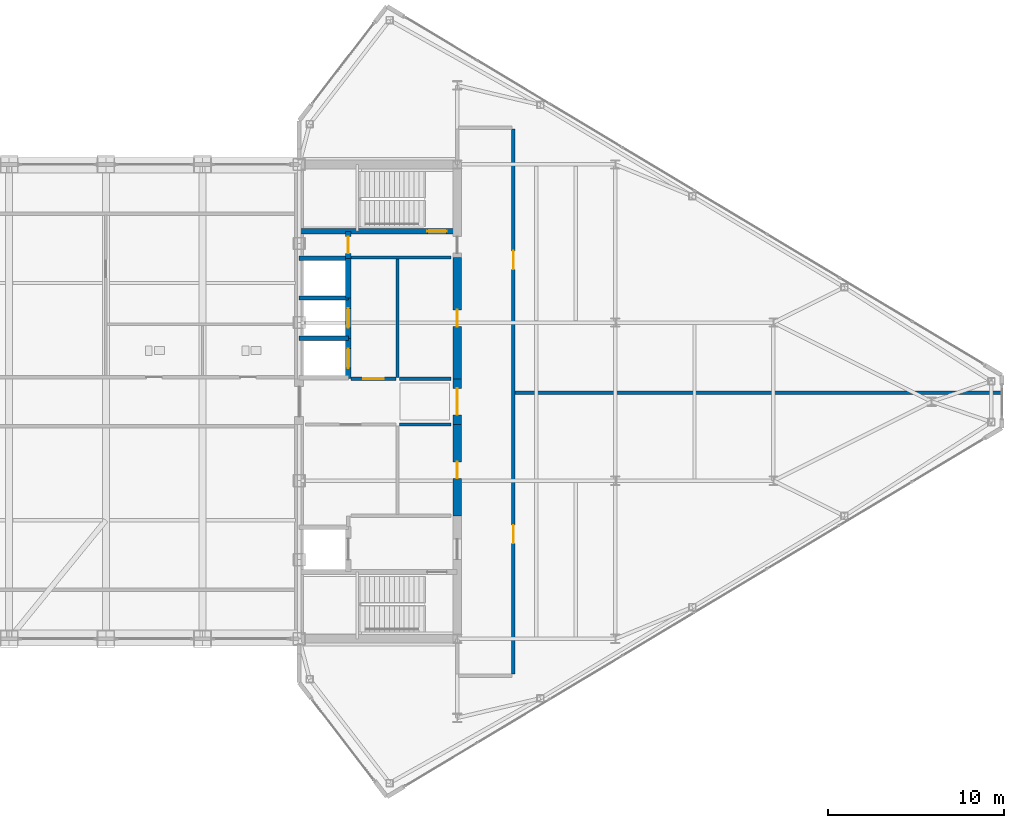
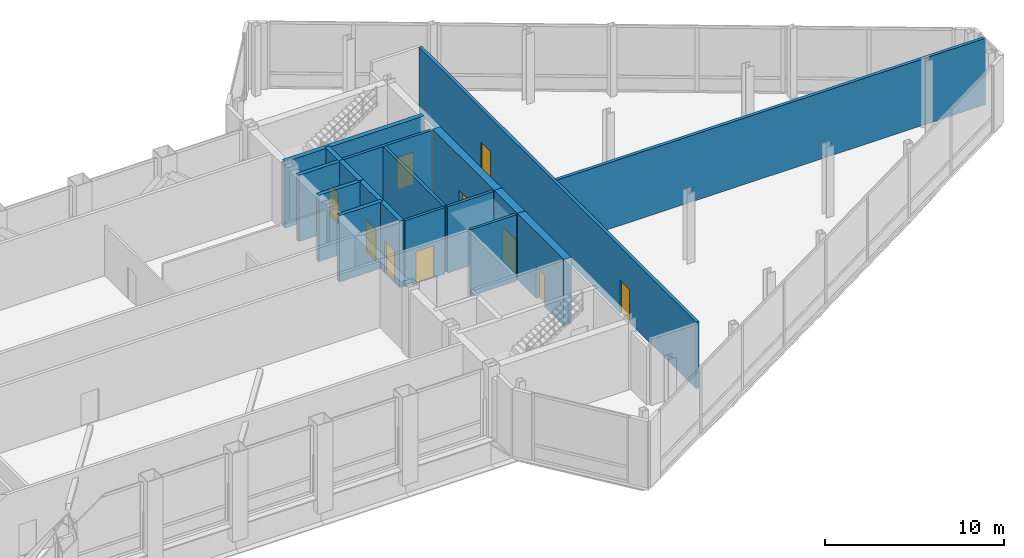
# One storey, part 25 of 29: 18 walls, 10 doors, 10 openings.
"""IFC4 building model written with IfcOpenShell, lengths in metres."""

from ifc_helpers import new_model, si_unit, direction, frame, frame_2d, origin, place, context, subcontext, project, spatial, rectangle, extrude, source, transform, mapped, material, layer, layer_set, type_object, type_shapes, element, fill, save


model = new_model("IFC4")

# Units and contexts
model_context = context("Model", 3, precision=1e-05, world=origin(), true_north=direction((0.0, 1.0)))
body_context = subcontext(model_context, "Body", "Model", "MODEL_VIEW")
ifc_project = project(units=[si_unit("LENGTHUNIT", "METRE"), si_unit("AREAUNIT", "SQUARE_METRE"), si_unit("VOLUMEUNIT", "CUBIC_METRE"), si_unit("PLANEANGLEUNIT", "RADIAN"), si_unit("MASSUNIT", "GRAM", prefix="KILO")], contexts=[model_context])

# Site, building, storey
site_placement = place(None, origin())
site = spatial("IfcSite", under=ifc_project, at=site_placement, CompositionType="ELEMENT")
building_placement = place(site_placement, origin())
building = spatial("IfcBuilding", under=site, at=building_placement, Name="Seokmaru Belvedere", CompositionType="ELEMENT")
storey_placement = place(building_placement, frame((0.0, 0.0, 229.800048828125)))
storey = spatial("IfcBuildingStorey", under=building, at=storey_placement, Name="L61", CompositionType="ELEMENT", Elevation=229.800048828125)

# Walls
ifc_material_1 = material(Name="Fire-Rated Gypsum Shaftwall")
ifc_layer_1 = layer(ifc_material_1, 0.179931640625)
ifc_layer_set_1 = layer_set([ifc_layer_1], Name="Fire-Rated Gypsum Shaftwall")
wall_type_1 = type_object("IfcWallType", Name="Core Service Fire Partition 180", PredefinedType="PARTITIONING", material=ifc_layer_set_1)
wall_1_placement = place(storey_placement, frame((30.449951171875, 8.199951171875, 0.0), z_axis=(0.0, 0.0, 1.0), x_axis=(1.0, 0.0, 0.0)))
element("IfcWall", 1, at=wall_1_placement, inside=storey, type_object=wall_type_1, Name="L61 East Smokeproof Vestibule Partition", PredefinedType="PARTITIONING", context=body_context, shape_type="SweptSolid", body=[
    extrude(rectangle(XDim=5.699951171875, YDim=0.179931640625, at=frame_2d((2.85009765625, 0.0))), origin(), (0.0, 0.0, 1.0), 4.5400390625),
])
wall_2_placement = place(storey_placement, frame((33.10009765625, 1.3798828125, 0.0), z_axis=(0.0, 0.0, 1.0), x_axis=(0.0, 1.0, 0.0)))
element("IfcWall", 2, at=wall_2_placement, inside=storey, type_object=wall_type_1, Name="L61 East North Core Service Back Wall", PredefinedType="PARTITIONING", context=body_context, shape_type="SweptSolid", body=[
    extrude(rectangle(XDim=6.740234375, YDim=0.179931640625, at=frame_2d((3.3701171875, 0.0))), origin(), (0.0, 0.0, 1.0), 4.5400390625),
])

# Wall, opening, door
wall_3_placement = place(storey_placement, frame((30.449951171875, 1.300048828125, 0.0), z_axis=(0.0, 0.0, 1.0), x_axis=(1.0, 0.0, 0.0)))
wall_3 = element("IfcWall", 3, at=wall_3_placement, inside=storey, type_object=wall_type_1, Name="L61 East North Lift Lobby Foyer Wall", PredefinedType="PARTITIONING", context=body_context, shape_type="SweptSolid", body=[
    extrude(rectangle(XDim=2.570068359375, YDim=0.179931640625, at=frame_2d((1.28515625, 0.0))), origin(), (0.0, 0.0, 1.0), 4.5400390625),
])
opening_1_placement = place(wall_3_placement, frame((0.7099609375, 0.0, 0.0)))
opening_1 = element("IfcOpeningElement", 4, at=opening_1_placement, cuts=wall_3, Name="Opening D02", PredefinedType="OPENING", context=body_context, shape_type="SweptSolid", body=[
    extrude(rectangle(XDim=1.14990234375, YDim=2.199951171875, at=frame_2d((0.574951171875, 1.10009765625))), frame((0.0, 0.10009765625, 0.0), z_axis=(0.0, -1.0, 0.0), x_axis=(1.0, 0.0, 0.0)), (0.0, 0.0, 1.0), 0.199951171875),
])
ifc_material_2 = material(Name="Fire-Rated Steel Leaf", Category="steel")
door_type_1 = type_object("IfcDoorType", Name="Lobby and Vestibule Fire Door 1150x2200", OperationType="NOTDEFINED", PredefinedType="DOOR", material=ifc_material_2)
shared_shape_1 = source(origin(), body_context, "Body", "SweptSolid", [
    extrude(rectangle(XDim=1.14990234375, YDim=2.199951171875, at=frame_2d((0.574951171875, 1.10009765625))), frame((0.0, 0.02490234375, 0.0), z_axis=(0.0, -1.0, 0.0), x_axis=(1.0, 0.0, 0.0)), (0.0, 0.0, 1.0), 0.050048828125),
])
type_shapes(door_type_1, [shared_shape_1])
door_1_placement = place(opening_1_placement, origin())
door_1 = element("IfcDoor", 5, at=door_1_placement, inside=storey, type_object=door_type_1, Name="L61 East North Lift Lobby Door", OperationType="SINGLE_SWING_LEFT", OverallHeight=2.199951171875, OverallWidth=1.14990234375, PredefinedType="DOOR", context=body_context, shape_type="MappedRepresentation", body=[
    mapped(shared_shape_1, transform((0.0, 0.0, 0.0), scale=1.0)),
])
fill(opening_1, door_1)

# Walls
for number, where, z_axis, x_axis, name in (
    (6, (33.199951171875, -1.300048828125, 0.0), (0.0, 0.0, 1.0), (1.0, 0.0, 0.0), "L61 East Foyer Side Wall S"),
    (7, (33.199951171875, 1.300048828125, 0.0), (0.0, 0.0, 1.0), (1.0, 0.0, 0.0), "L61 East Foyer Side Wall N"),
):
    element("IfcWall", number, at=place(storey_placement, frame(where, z_axis=z_axis, x_axis=x_axis)), inside=storey, type_object=wall_type_1, Name=name, PredefinedType="PARTITIONING", context=body_context, shape_type="SweptSolid", body=[
        extrude(rectangle(XDim=2.949951171875, YDim=0.179931640625, at=frame_2d((1.47509765625, 0.0))), origin(), (0.0, 0.0, 1.0), 4.5400390625),
    ])
ifc_material_3 = material(Name="Concrete C50 (50 MPa)", Category="concrete")
ifc_layer_2 = layer(ifc_material_3, 0.25)
ifc_layer_set_2 = layer_set([ifc_layer_2], Name="Concrete C50 (50 MPa)")
wall_type_2 = type_object("IfcWallType", Name="Hoistway Transverse Concrete Divider Wall 250", PredefinedType="SHEAR", material=ifc_layer_set_2)
for number, where, z_axis, x_axis, name in (
    (8, (27.5, 3.60009765625, 0.0), (0.0, 0.0, 1.0), (1.0, 0.0, 0.0), "L61 East Hoistway Divider Core Wall 3"),
    (9, (27.5, 5.89990234375, 0.0), (0.0, 0.0, 1.0), (1.0, 0.0, 0.0), "L61 East Hoistway Divider Core Wall 4"),
    (10, (27.5, 8.14990234375, 0.0), (0.0, 0.0, 1.0), (1.0, 0.0, 0.0), "L61 East Hoistway Divider Core Wall 5"),
):
    element("IfcWall", number, at=place(storey_placement, frame(where, z_axis=z_axis, x_axis=x_axis)), inside=storey, type_object=wall_type_2, Name=name, PredefinedType="SHEAR", context=body_context, shape_type="SweptSolid", body=[
        extrude(rectangle(XDim=2.800048828125, YDim=0.25, at=frame_2d((1.39990234375, 0.0))), origin(), (0.0, 0.0, 1.0), 4.5400390625),
    ])
ifc_layer_3 = layer(ifc_material_1, 0.199951171875)
ifc_layer_set_3 = layer_set([ifc_layer_3], Name="Fire-Rated Gypsum Shaftwall")
wall_type_3 = type_object("IfcWallType", Name="Inter-Tenancy Fire Compartment Partition 200", PredefinedType="PARTITIONING", material=ifc_layer_set_3)
wall_4_placement = place(storey_placement, frame((39.780029296875, 0.5, 0.0), z_axis=(0.0, 0.0, 1.0), x_axis=(1.0, 0.0, 0.0)))
element("IfcWall", 11, at=wall_4_placement, inside=storey, type_object=wall_type_3, Name="L61 Interior Partition 008", PredefinedType="PARTITIONING", context=body_context, shape_type="SweptSolid", body=[
    extrude(rectangle(XDim=27.724853515625, YDim=0.199951171875, at=frame_2d((13.8623046875, 0.0))), origin(), (0.0, 0.0, 1.0), 4.5400390625),
])

# Wall, openings, doors
wall_5_placement = place(storey_placement, frame((39.699951171875, -15.514892578125, 0.0), z_axis=(0.0, 0.0, 1.0), x_axis=(0.0, 1.0, 0.0)))
wall_5 = element("IfcWall", 12, at=wall_5_placement, inside=storey, type_object=wall_type_3, Name="L61 Interior Partition 033", PredefinedType="PARTITIONING", context=body_context, shape_type="SweptSolid", body=[
    extrude(rectangle(XDim=31.02978515625, YDim=0.199951171875, at=frame_2d((15.514892578125, 0.0))), origin(), (0.0, 0.0, 1.0), 4.5400390625),
])
opening_2_placement = place(wall_5_placement, frame((7.43994140625, 0.0, 0.0)))
opening_2 = element("IfcOpeningElement", 13, at=opening_2_placement, cuts=wall_5, Name="Opening D03", PredefinedType="OPENING", context=body_context, shape_type="SweptSolid", body=[
    extrude(rectangle(XDim=1.050048828125, YDim=2.25, at=frame_2d((0.52490234375, 1.125))), frame((0.0, 0.10986328125, 0.0), z_axis=(0.0, -1.0, 0.0), x_axis=(1.0, 0.0, 0.0)), (0.0, 0.0, 1.0), 0.219970703125),
])
opening_3_placement = place(wall_5_placement, frame((23.0400390625, 0.0, 0.0)))
opening_3 = element("IfcOpeningElement", 14, at=opening_3_placement, cuts=wall_5, Name="Opening D03", PredefinedType="OPENING", context=body_context, shape_type="SweptSolid", body=[
    extrude(rectangle(XDim=1.050048828125, YDim=2.25, at=frame_2d((0.52490234375, 1.125))), frame((0.0, 0.10986328125, 0.0), z_axis=(0.0, -1.0, 0.0), x_axis=(1.0, 0.0, 0.0)), (0.0, 0.0, 1.0), 0.219970703125),
])
door_type_2 = type_object("IfcDoorType", Name="Apartment Entrance Fire Door 1050x2250", OperationType="NOTDEFINED", PredefinedType="DOOR", material=ifc_material_2)
shared_shape_2 = source(origin(), body_context, "Body", "SweptSolid", [
    extrude(rectangle(XDim=1.050048828125, YDim=2.25, at=frame_2d((0.52490234375, 1.125))), frame((0.0, 0.02490234375, 0.0), z_axis=(0.0, -1.0, 0.0), x_axis=(1.0, 0.0, 0.0)), (0.0, 0.0, 1.0), 0.050048828125),
])
type_shapes(door_type_2, [shared_shape_2])
door_2_placement = place(opening_2_placement, origin())
door_2 = element("IfcDoor", 15, at=door_2_placement, inside=storey, type_object=door_type_2, Name="L61 Interior Door 016", OperationType="SINGLE_SWING_LEFT", OverallHeight=2.25, OverallWidth=1.050048828125, PredefinedType="DOOR", context=body_context, shape_type="MappedRepresentation", body=[
    mapped(shared_shape_2, transform((0.0, 0.0, 0.0), scale=1.0)),
])
fill(opening_2, door_2)
door_3_placement = place(opening_3_placement, origin())
door_3 = element("IfcDoor", 16, at=door_3_placement, inside=storey, type_object=door_type_2, Name="L61 Interior Door 017", OperationType="SINGLE_SWING_RIGHT", OverallHeight=2.25, OverallWidth=1.050048828125, PredefinedType="DOOR", context=body_context, shape_type="MappedRepresentation", body=[
    mapped(shared_shape_2, transform((0.0, 0.0, 0.0), scale=1.0)),
])
fill(opening_3, door_3)

# Wall, opening, door
ifc_layer_4 = layer(ifc_material_3, 0.300048828125)
ifc_layer_set_4 = layer_set([ifc_layer_4], Name="Concrete C50 (50 MPa)")
wall_type_4 = type_object("IfcWallType", Name="Internal Core Stair and Hoistway Wall 300", PredefinedType="SHEAR", material=ifc_layer_set_4)
wall_6_placement = place(storey_placement, frame((27.5, 9.699951171875, 0.0), z_axis=(0.0, 0.0, 1.0), x_axis=(1.0, 0.0, 0.0)))
wall_6 = element("IfcWall", 17, at=wall_6_placement, inside=storey, type_object=wall_type_4, Name="L61 East Stair ST-2 Enclosure Wall", PredefinedType="SHEAR", context=body_context, shape_type="SweptSolid", body=[
    extrude(rectangle(XDim=9.0, YDim=0.300048828125, at=frame_2d((4.5, 0.0))), origin(), (0.0, 0.0, 1.0), 4.5400390625),
])
opening_4_placement = place(wall_6_placement, frame((7.300048828125, 0.0, 0.0)))
opening_4 = element("IfcOpeningElement", 18, at=opening_4_placement, cuts=wall_6, Name="Opening D01", PredefinedType="OPENING", context=body_context, shape_type="SweptSolid", body=[
    extrude(rectangle(XDim=1.10009765625, YDim=2.199951171875, at=frame_2d((0.550048828125, 1.10009765625))), frame((0.0, 0.16015625, 0.0), z_axis=(0.0, -1.0, 0.0), x_axis=(1.0, 0.0, 0.0)), (0.0, 0.0, 1.0), 0.320068359375),
])
door_type_3 = type_object("IfcDoorType", Name="Special Escape Stair Smokeproof Fire Door 1100x2200", OperationType="NOTDEFINED", PredefinedType="DOOR", material=ifc_material_2)
shared_shape_3 = source(origin(), body_context, "Body", "SweptSolid", [
    extrude(rectangle(XDim=1.10009765625, YDim=2.199951171875, at=frame_2d((0.550048828125, 1.10009765625))), frame((0.0, 0.02490234375, 0.0), z_axis=(0.0, -1.0, 0.0), x_axis=(1.0, 0.0, 0.0)), (0.0, 0.0, 1.0), 0.050048828125),
])
type_shapes(door_type_3, [shared_shape_3])
door_4_placement = place(opening_4_placement, origin())
door_4 = element("IfcDoor", 19, at=door_4_placement, inside=storey, type_object=door_type_3, Name="L61 East Special Escape Stair ST-2 Door", OperationType="SINGLE_SWING_LEFT", OverallHeight=2.199951171875, OverallWidth=1.10009765625, PredefinedType="DOOR", context=body_context, shape_type="MappedRepresentation", body=[
    mapped(shared_shape_3, transform((0.0, 0.0, 0.0), scale=1.0)),
])
fill(opening_4, door_4)

wall_7_placement = place(storey_placement, frame((30.300048828125, 1.320068359375, 0.0), z_axis=(0.0, 0.0, 1.0), x_axis=(0.0, 1.0, 0.0)))
wall_7 = element("IfcWall", 20, at=wall_7_placement, inside=storey, type_object=wall_type_4, Name="L61 East North Hoistway Wall PH1", PredefinedType="SHEAR", context=body_context, shape_type="SweptSolid", body=[
    extrude(rectangle(XDim=2.280029296875, YDim=0.300048828125, at=frame_2d((1.14013671875, 0.0))), origin(), (0.0, 0.0, 1.0), 4.5400390625),
])
opening_5_placement = place(wall_7_placement, frame((0.590087890625, 0.0, 0.0)))
opening_5 = element("IfcOpeningElement", 21, at=opening_5_placement, cuts=wall_7, Name="Opening LD1", PredefinedType="OPENING", context=body_context, shape_type="SweptSolid", body=[
    extrude(rectangle(XDim=1.10009765625, YDim=2.199951171875, at=frame_2d((0.550048828125, 1.10009765625))), frame((0.0, 0.16015625, 0.0), z_axis=(0.0, -1.0, 0.0), x_axis=(1.0, 0.0, 0.0)), (0.0, 0.0, 1.0), 0.320068359375),
])
ifc_material_4 = material(Name="Stainless Steel 316", Category="steel")
door_type_4 = type_object("IfcDoorType", Name="Passenger Lift Sliding Landing Door 1100x2200", OperationType="DOUBLE_DOOR_SLIDING", PredefinedType="DOOR", material=ifc_material_4)
shared_shape_4 = source(origin(), body_context, "Body", "SweptSolid", [
    extrude(rectangle(XDim=1.10009765625, YDim=2.199951171875, at=frame_2d((0.550048828125, 1.10009765625))), frame((0.0, 0.02490234375, 0.0), z_axis=(0.0, -1.0, 0.0), x_axis=(1.0, 0.0, 0.0)), (0.0, 0.0, 1.0), 0.050048828125),
])
type_shapes(door_type_4, [shared_shape_4])
door_5_placement = place(opening_5_placement, origin())
door_5 = element("IfcDoor", 22, at=door_5_placement, inside=storey, type_object=door_type_4, Name="L61 East High-Rise Lift PH-1 Landing Door", OperationType="DOUBLE_DOOR_SLIDING", OverallHeight=2.199951171875, OverallWidth=1.10009765625, PredefinedType="DOOR", context=body_context, shape_type="MappedRepresentation", body=[
    mapped(shared_shape_4, transform((0.0, 0.0, 0.0), scale=1.0)),
])
fill(opening_5, door_5)

wall_8_placement = place(storey_placement, frame((30.300048828125, 3.60009765625, 0.0), z_axis=(0.0, 0.0, 1.0), x_axis=(0.0, 1.0, 0.0)))
wall_8 = element("IfcWall", 23, at=wall_8_placement, inside=storey, type_object=wall_type_4, Name="L61 East North Hoistway Wall PH2", PredefinedType="SHEAR", context=body_context, shape_type="SweptSolid", body=[
    extrude(rectangle(XDim=2.2998046875, YDim=0.300048828125, at=frame_2d((1.14990234375, 0.0))), origin(), (0.0, 0.0, 1.0), 4.5400390625),
])
opening_6_placement = place(wall_8_placement, frame((0.60009765625, 0.0, 0.0)))
opening_6 = element("IfcOpeningElement", 24, at=opening_6_placement, cuts=wall_8, Name="Opening LD1", PredefinedType="OPENING", context=body_context, shape_type="SweptSolid", body=[
    extrude(rectangle(XDim=1.10009765625, YDim=2.199951171875, at=frame_2d((0.550048828125, 1.10009765625))), frame((0.0, 0.16015625, 0.0), z_axis=(0.0, -1.0, 0.0), x_axis=(1.0, 0.0, 0.0)), (0.0, 0.0, 1.0), 0.320068359375),
])
door_6_placement = place(opening_6_placement, origin())
door_6 = element("IfcDoor", 25, at=door_6_placement, inside=storey, type_object=door_type_4, Name="L61 East High-Rise Lift PH-2 Landing Door", OperationType="DOUBLE_DOOR_SLIDING", OverallHeight=2.199951171875, OverallWidth=1.10009765625, PredefinedType="DOOR", context=body_context, shape_type="MappedRepresentation", body=[
    mapped(shared_shape_4, transform((0.0, 0.0, 0.0), scale=1.0)),
])
fill(opening_6, door_6)

# Wall
wall_9_placement = place(storey_placement, frame((30.300048828125, 5.89990234375, 0.0), z_axis=(0.0, 0.0, 1.0), x_axis=(0.0, 1.0, 0.0)))
element("IfcWall", 26, at=wall_9_placement, inside=storey, type_object=wall_type_4, Name="L61 East North Hoistway Wall OBS", PredefinedType="SHEAR", context=body_context, shape_type="SweptSolid", body=[
    extrude(rectangle(XDim=2.25, YDim=0.300048828125, at=frame_2d((1.125, 0.0))), origin(), (0.0, 0.0, 1.0), 4.5400390625),
])

# Wall, opening, door
wall_10_placement = place(storey_placement, frame((30.300048828125, 8.14990234375, 0.0), z_axis=(0.0, 0.0, 1.0), x_axis=(0.0, 1.0, 0.0)))
wall_10 = element("IfcWall", 27, at=wall_10_placement, inside=storey, type_object=wall_type_4, Name="L61 East Electrical Riser Front Wall", PredefinedType="SHEAR", context=body_context, shape_type="SweptSolid", body=[
    extrude(rectangle(XDim=1.530029296875, YDim=0.300048828125, at=frame_2d((0.76513671875, 0.0))), origin(), (0.0, 0.0, 1.0), 4.5400390625),
])
opening_7_placement = place(wall_10_placement, frame((0.284912109375, 0.0, 0.0)))
opening_7 = element("IfcOpeningElement", 28, at=opening_7_placement, cuts=wall_10, Name="Opening D04", PredefinedType="OPENING", context=body_context, shape_type="SweptSolid", body=[
    extrude(rectangle(XDim=0.949951171875, YDim=2.14990234375, at=frame_2d((0.47509765625, 1.074951171875))), frame((0.0, 0.16015625, 0.0), z_axis=(0.0, -1.0, 0.0), x_axis=(1.0, 0.0, 0.0)), (0.0, 0.0, 1.0), 0.320068359375),
])
door_type_5 = type_object("IfcDoorType", Name="Core Service Room Fire Door 950x2150", OperationType="NOTDEFINED", PredefinedType="DOOR", material=ifc_material_2)
shared_shape_5 = source(origin(), body_context, "Body", "SweptSolid", [
    extrude(rectangle(XDim=0.949951171875, YDim=2.14990234375, at=frame_2d((0.47509765625, 1.074951171875))), frame((0.0, 0.02490234375, 0.0), z_axis=(0.0, -1.0, 0.0), x_axis=(1.0, 0.0, 0.0)), (0.0, 0.0, 1.0), 0.050048828125),
])
type_shapes(door_type_5, [shared_shape_5])
door_7_placement = place(opening_7_placement, origin())
door_7 = element("IfcDoor", 29, at=door_7_placement, inside=storey, type_object=door_type_5, Name="L61 East Electrical Riser Access Door", OperationType="SINGLE_SWING_RIGHT", OverallHeight=2.14990234375, OverallWidth=0.949951171875, PredefinedType="DOOR", context=body_context, shape_type="MappedRepresentation", body=[
    mapped(shared_shape_5, transform((0.0, 0.0, 0.0), scale=1.0)),
])
fill(opening_7, door_7)

ifc_layer_5 = layer(ifc_material_3, 0.5)
ifc_layer_set_5 = layer_set([ifc_layer_5], Name="Concrete C50 (50 MPa)")
wall_type_5 = type_object("IfcWallType", Name="Upper Tower Reinforced Concrete Core Wall 500", PredefinedType="SHEAR", material=ifc_layer_set_5)
wall_11_placement = place(storey_placement, frame((36.5, -1.300048828125, 0.0), z_axis=(0.0, 0.0, 1.0), x_axis=(0.0, 1.0, 0.0)))
wall_11 = element("IfcWall", 30, at=wall_11_placement, inside=storey, type_object=wall_type_5, Name="L61 East West Core Wall FOY", PredefinedType="SHEAR", context=body_context, shape_type="SweptSolid", body=[
    extrude(rectangle(XDim=2.60009765625, YDim=0.5, at=frame_2d((1.300048828125, 0.0))), origin(), (0.0, 0.0, 1.0), 4.5400390625),
])
opening_8_placement = place(wall_11_placement, frame((0.550048828125, 0.0, 0.0)))
opening_8 = element("IfcOpeningElement", 31, at=opening_8_placement, cuts=wall_11, Name="Opening D08", PredefinedType="OPENING", context=body_context, shape_type="SweptSolid", body=[
    extrude(rectangle(XDim=1.5, YDim=2.300048828125, at=frame_2d((0.75, 1.14990234375))), frame((0.0, 0.260009765625, 0.0), z_axis=(0.0, -1.0, 0.0), x_axis=(1.0, 0.0, 0.0)), (0.0, 0.0, 1.0), 0.52001953125),
])
door_type_6 = type_object("IfcDoorType", Name="Cross-Corridor Compartment Double Fire Door 1500x2300", OperationType="DOUBLE_SWING_LEFT", PredefinedType="DOOR", material=ifc_material_2)
shared_shape_6 = source(origin(), body_context, "Body", "SweptSolid", [
    extrude(rectangle(XDim=1.5, YDim=2.300048828125, at=frame_2d((0.75, 1.14990234375))), frame((0.0, 0.02490234375, 0.0), z_axis=(0.0, -1.0, 0.0), x_axis=(1.0, 0.0, 0.0)), (0.0, 0.0, 1.0), 0.050048828125),
])
type_shapes(door_type_6, [shared_shape_6])
door_8_placement = place(opening_8_placement, origin())
door_8 = element("IfcDoor", 32, at=door_8_placement, inside=storey, type_object=door_type_6, Name="L61 East Core Foyer Compartment Door", OperationType="DOUBLE_SWING_LEFT", OverallHeight=2.300048828125, OverallWidth=1.5, PredefinedType="DOOR", context=body_context, shape_type="MappedRepresentation", body=[
    mapped(shared_shape_6, transform((0.0, 0.0, 0.0), scale=1.0)),
])
fill(opening_8, door_8)

wall_12_placement = place(storey_placement, frame((36.5, -6.5, 0.0), z_axis=(0.0, 0.0, 1.0), x_axis=(0.0, 1.0, 0.0)))
wall_12 = element("IfcWall", 33, at=wall_12_placement, inside=storey, type_object=wall_type_5, Name="L61 East West Core Wall CS1", PredefinedType="SHEAR", context=body_context, shape_type="SweptSolid", body=[
    extrude(rectangle(XDim=5.199951171875, YDim=0.5, at=frame_2d((2.60009765625, 0.0))), origin(), (0.0, 0.0, 1.0), 4.5400390625),
])
opening_9_placement = place(wall_12_placement, frame((2.125, 0.0, 0.0)))
opening_9 = element("IfcOpeningElement", 34, at=opening_9_placement, cuts=wall_12, Name="Opening D04", PredefinedType="OPENING", context=body_context, shape_type="SweptSolid", body=[
    extrude(rectangle(XDim=0.949951171875, YDim=2.14990234375, at=frame_2d((0.47509765625, 1.074951171875))), frame((0.0, 0.260009765625, 0.0), z_axis=(0.0, -1.0, 0.0), x_axis=(1.0, 0.0, 0.0)), (0.0, 0.0, 1.0), 0.52001953125),
])
door_9_placement = place(opening_9_placement, origin())
door_9 = element("IfcDoor", 35, at=door_9_placement, inside=storey, type_object=door_type_5, Name="L61 East Core Service Room Door 1", OperationType="SINGLE_SWING_RIGHT", OverallHeight=2.14990234375, OverallWidth=0.949951171875, PredefinedType="DOOR", context=body_context, shape_type="MappedRepresentation", body=[
    mapped(shared_shape_5, transform((0.0, 0.0, 0.0), scale=1.0)),
])
fill(opening_9, door_9)

wall_13_placement = place(storey_placement, frame((36.5, 1.300048828125, 0.0), z_axis=(0.0, 0.0, 1.0), x_axis=(0.0, 1.0, 0.0)))
wall_13 = element("IfcWall", 36, at=wall_13_placement, inside=storey, type_object=wall_type_5, Name="L61 East West Core Wall CS2", PredefinedType="SHEAR", context=body_context, shape_type="SweptSolid", body=[
    extrude(rectangle(XDim=6.89990234375, YDim=0.5, at=frame_2d((3.449951171875, 0.0))), origin(), (0.0, 0.0, 1.0), 4.5400390625),
])
opening_10_placement = place(wall_13_placement, frame((2.97509765625, 0.0, 0.0)))
opening_10 = element("IfcOpeningElement", 37, at=opening_10_placement, cuts=wall_13, Name="Opening D04", PredefinedType="OPENING", context=body_context, shape_type="SweptSolid", body=[
    extrude(rectangle(XDim=0.949951171875, YDim=2.14990234375, at=frame_2d((0.47509765625, 1.074951171875))), frame((0.0, 0.260009765625, 0.0), z_axis=(0.0, -1.0, 0.0), x_axis=(1.0, 0.0, 0.0)), (0.0, 0.0, 1.0), 0.52001953125),
])
door_10_placement = place(opening_10_placement, origin())
door_10 = element("IfcDoor", 38, at=door_10_placement, inside=storey, type_object=door_type_5, Name="L61 East Core Service Room Door 2", OperationType="SINGLE_SWING_LEFT", OverallHeight=2.14990234375, OverallWidth=0.949951171875, PredefinedType="DOOR", context=body_context, shape_type="MappedRepresentation", body=[
    mapped(shared_shape_5, transform((0.0, 0.0, 0.0), scale=1.0)),
])
fill(opening_10, door_10)

save(model, "model.ifc")
